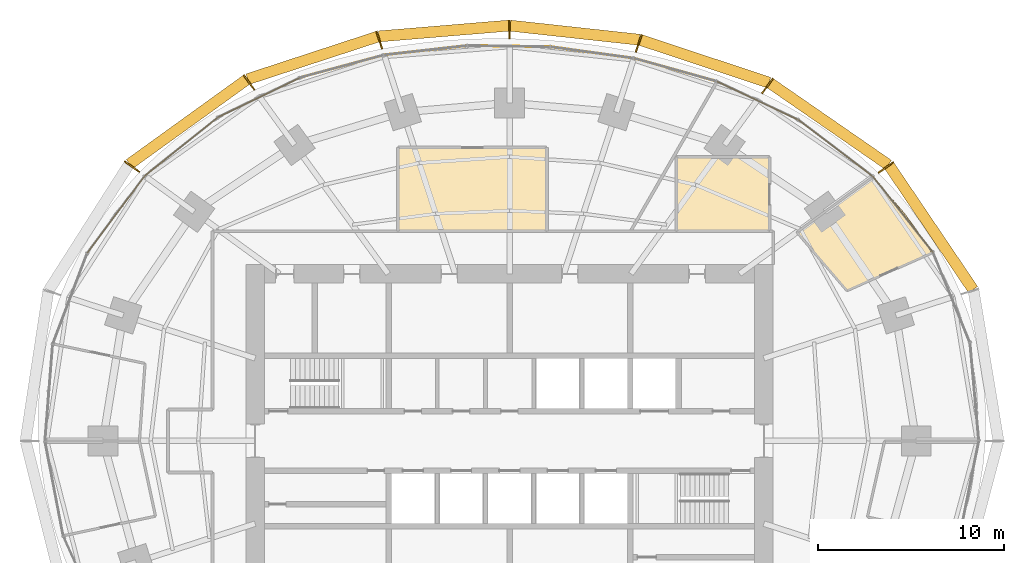
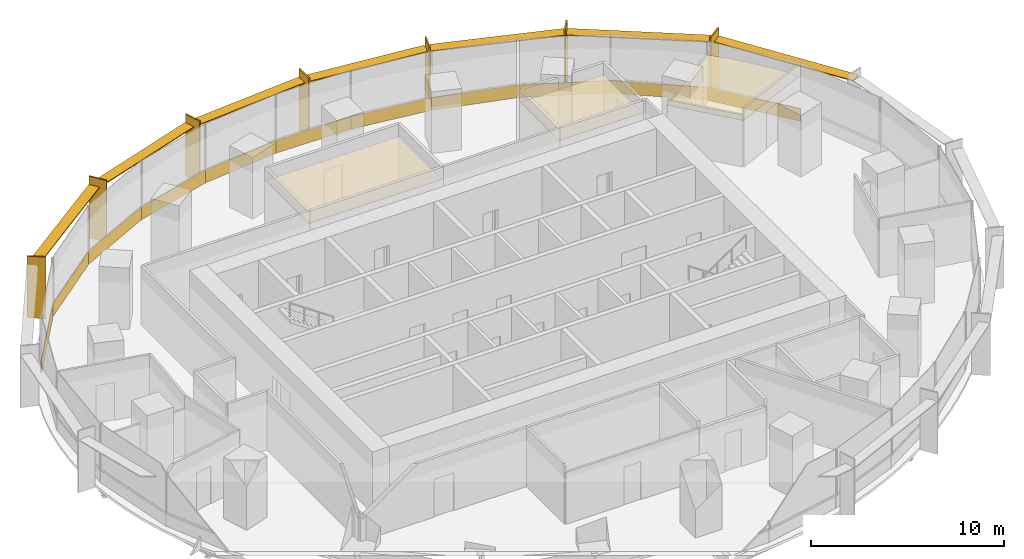
# One storey, part 14 of 14: 14 coverings, 14 shading devices.
"""IFC4 building model written with IfcOpenShell, lengths in metres."""

from ifc_helpers import new_model, si_unit, direction, frame, origin, origin_2d, place, context, subcontext, project, spatial, polyline, rectangle, outline, extrude, material, layer, layer_set, type_object, element, save


model = new_model("IFC4")

# Units and contexts
model_context = context("Model", 3, precision=1e-05, world=origin(), true_north=direction((0.0, 1.0)))
body_context = subcontext(model_context, "Body", "Model", "MODEL_VIEW")
ifc_project = project(units=[si_unit("LENGTHUNIT", "METRE"), si_unit("AREAUNIT", "SQUARE_METRE"), si_unit("VOLUMEUNIT", "CUBIC_METRE"), si_unit("PLANEANGLEUNIT", "RADIAN"), si_unit("MASSUNIT", "GRAM", prefix="KILO")], contexts=[model_context])

# Site, building, storey
site_placement = place(None, origin())
site = spatial("IfcSite", under=ifc_project, at=site_placement, CompositionType="ELEMENT")
building_placement = place(site_placement, origin())
building = spatial("IfcBuilding", under=site, at=building_placement, Name="Marramba Exchange Tower", CompositionType="ELEMENT")
storey_placement = place(building_placement, frame((0.0, 0.0, 147.0)))
storey = spatial("IfcBuildingStorey", under=building, at=storey_placement, Name="L35", CompositionType="ELEMENT", Elevation=147.0)

# Shading devices
ifc_material_1 = material(Name="Aluminium blade, timber-look bronze finish", Category="wood")
ifc_layer_1 = layer(ifc_material_1, 0.080078125)
ifc_layer_set_1 = layer_set([ifc_layer_1], Name="Floor-edge blade 1000x80")
shading_device_type_1 = type_object("IfcShadingDeviceType", Name="Floor-edge blade 1000x80", PredefinedType="USERDEFINED", material=ifc_layer_set_1)
for number, where, z_axis, x_axis, name in (
    (1, (20.27392578125, 14.72998046875, -0.159912109375), (0.0, 0.0, 1.0), (0.809016994375, 0.587785252292, 0.0), "Floor-edge blade FB1 L35 TC03"),
    (2, (13.8955078125, 19.12548828125, -0.159912109375), (0.0, 0.0, 1.0), (0.587785252292, 0.809016994375, 0.0), "Floor-edge blade FB1 L35 TC04"),
    (3, (6.958984375, 21.41748046875, -0.159912109375), (0.0, 0.0, 1.0), (0.309016994375, 0.951056516295, 0.0), "Floor-edge blade FB1 L35 TC05"),
    (4, (0.0, 22.173095703125, -0.159912109375), (0.0, 0.0, 1.0), (0.0, 1.0, 0.0), "Floor-edge blade FB1 L35 TC06"),
    (5, (-7.016845703125, 21.595703125, -0.159912109375), (0.0, 0.0, 1.0), (-0.309016994375, 0.951056516295, 0.0), "Floor-edge blade FB1 L35 TC07"),
    (6, (-14.029296875, 19.3095703125, -0.159912109375), (0.0, 0.0, 1.0), (-0.587785252292, 0.809016994375, 0.0), "Floor-edge blade FB1 L35 TC08"),
    (7, (-20.33642578125, 14.775390625, -0.159912109375), (0.0, 0.0, 1.0), (-0.809016994375, 0.587785252292, 0.0), "Floor-edge blade FB1 L35 TC09"),
):
    element("IfcShadingDevice", number, at=place(storey_placement, frame(where, z_axis=z_axis, x_axis=x_axis)), inside=storey, type_object=shading_device_type_1, Name=name, ObjectType="FIN", PredefinedType="USERDEFINED", context=body_context, shape_type="SweptSolid", body=[
        extrude(rectangle(XDim=1.0, YDim=0.080078125, at=origin_2d()), origin(), (0.0, 0.0, 1.0), 3.89990234375),
    ])
ifc_material_2 = material(Name="Aluminium sunshade, bronze anodised", Category="aluminium")
ifc_layer_2 = layer(ifc_material_2, 0.06005859375)
ifc_layer_set_2 = layer_set([ifc_layer_2], Name="SUNSHADE blade 600x60")
shading_device_type_2 = type_object("IfcShadingDeviceType", Name="SUNSHADE blade 600x60", PredefinedType="USERDEFINED", material=ifc_layer_set_2)
shading_device_1_placement = place(storey_placement, frame((22.712158203125, 11.4833984375, 3.159912109375), z_axis=(0.0, 0.0, 1.0), x_axis=(-0.560441804861, 0.828193807852, 0.0)))
element("IfcShadingDevice", 8, at=shading_device_1_placement, inside=storey, type_object=shading_device_type_2, Name="Sunshade SS1 L35 bay 02", ObjectType="SUNSHADE", PredefinedType="USERDEFINED", context=body_context, shape_type="SweptSolid", body=[
    extrude(rectangle(XDim=8.0439453125, YDim=0.60009765625, at=origin_2d()), origin(), (0.0, 0.0, 1.0), 0.06005859375),
])
shading_device_2_placement = place(storey_placement, frame((17.224365234375, 17.0673828125, 3.159912109375), z_axis=(0.0, 0.0, 1.0), x_axis=(-0.822589509071, 0.568635647464, 0.0)))
element("IfcShadingDevice", 9, at=shading_device_2_placement, inside=storey, type_object=shading_device_type_2, Name="Sunshade SS1 L35 bay 03", ObjectType="SUNSHADE", PredefinedType="USERDEFINED", context=body_context, shape_type="SweptSolid", body=[
    extrude(rectangle(XDim=7.72802734375, YDim=0.60009765625, at=origin_2d()), origin(), (0.0, 0.0, 1.0), 0.06005859375),
])
shading_device_3_placement = place(storey_placement, frame((10.516845703125, 20.447509765625, 3.159912109375), z_axis=(0.0, 0.0, 1.0), x_axis=(-0.949101076178, 0.314971660944, 0.0)))
element("IfcShadingDevice", 10, at=shading_device_3_placement, inside=storey, type_object=shading_device_type_2, Name="Sunshade SS1 L35 bay 04", ObjectType="SUNSHADE", PredefinedType="USERDEFINED", context=body_context, shape_type="SweptSolid", body=[
    extrude(rectangle(XDim=7.287353515625, YDim=0.60009765625, at=origin_2d()), origin(), (0.0, 0.0, 1.0), 0.06005859375),
])
shading_device_4_placement = place(storey_placement, frame((3.510498046875, 21.990478515625, 3.159912109375), z_axis=(0.0, 0.0, 1.0), x_axis=(-0.994111392801, 0.108362995081, 0.0)))
element("IfcShadingDevice", 11, at=shading_device_4_placement, inside=storey, type_object=shading_device_type_2, Name="Sunshade SS1 L35 bay 05", ObjectType="SUNSHADE", PredefinedType="USERDEFINED", context=body_context, shape_type="SweptSolid", body=[
    extrude(rectangle(XDim=6.982421875, YDim=0.60009765625, at=origin_2d()), origin(), (0.0, 0.0, 1.0), 0.06005859375),
])
shading_device_5_placement = place(storey_placement, frame((-3.539306640625, 22.07958984375, 3.159912109375), z_axis=(0.0, 0.0, 1.0), x_axis=(-0.996577838412, -0.08265961521, 0.0)))
element("IfcShadingDevice", 12, at=shading_device_5_placement, inside=storey, type_object=shading_device_type_2, Name="Sunshade SS1 L35 bay 06", ObjectType="SUNSHADE", PredefinedType="USERDEFINED", context=body_context, shape_type="SweptSolid", body=[
    extrude(rectangle(XDim=7.02294921875, YDim=0.60009765625, at=origin_2d()), origin(), (0.0, 0.0, 1.0), 0.06005859375),
])
shading_device_6_placement = place(storey_placement, frame((-10.61279296875, 20.628662109375, 3.159912109375), z_axis=(0.0, 0.0, 1.0), x_axis=(-0.950345637432, -0.311196351865, 0.0)))
element("IfcShadingDevice", 13, at=shading_device_6_placement, inside=storey, type_object=shading_device_type_2, Name="Sunshade SS1 L35 bay 07", ObjectType="SUNSHADE", PredefinedType="USERDEFINED", context=body_context, shape_type="SweptSolid", body=[
    extrude(rectangle(XDim=7.357421875, YDim=0.60009765625, at=origin_2d()), origin(), (0.0, 0.0, 1.0), 0.06005859375),
])
shading_device_7_placement = place(storey_placement, frame((-17.322509765625, 17.18212890625, 3.159912109375), z_axis=(0.0, 0.0, 1.0), x_axis=(-0.811199164202, -0.584769968448, 0.0)))
element("IfcShadingDevice", 14, at=shading_device_7_placement, inside=storey, type_object=shading_device_type_2, Name="Sunshade SS1 L35 bay 08", ObjectType="SUNSHADE", PredefinedType="USERDEFINED", context=body_context, shape_type="SweptSolid", body=[
    extrude(rectangle(XDim=7.749755859375, YDim=0.60009765625, at=origin_2d()), origin(), (0.0, 0.0, 1.0), 0.06005859375),
])

# Coverings
ifc_material_3 = material(Name="Aluminium spandrel panel, bronze anodised, insulated", Category="aluminium")
ifc_layer_3 = layer(ifc_material_3, 0.050048828125)
ifc_layer_set_3 = layer_set([ifc_layer_3], Name="Spandrel panel 800")
covering_type_1 = type_object("IfcCoveringType", Name="Spandrel panel 800", PredefinedType="CLADDING", material=ifc_layer_set_3)
covering_1_placement = place(storey_placement, frame((21.20068359375, 12.194091796875, 0.0), z_axis=(0.0, 0.0, 1.0), x_axis=(-0.621311998758, 0.783563271344, 0.0)))
element("IfcCovering", 15, at=covering_1_placement, inside=storey, type_object=covering_type_1, Name="Spandrel panel SP1 L35 F03", PredefinedType="CLADDING", context=body_context, shape_type="SweptSolid", body=[
    extrude(rectangle(XDim=5.197021484375, YDim=0.050048828125, at=origin_2d()), origin(), (0.0, 0.0, 1.0), 0.800048828125),
])
covering_2_placement = place(storey_placement, frame((17.576171875, 15.759033203125, 0.0), z_axis=(0.0, 0.0, 1.0), x_axis=(-0.795971745176, 0.605333776426, 0.0)))
element("IfcCovering", 16, at=covering_2_placement, inside=storey, type_object=covering_type_1, Name="Spandrel panel SP1 L35 F04", PredefinedType="CLADDING", context=body_context, shape_type="SweptSolid", body=[
    extrude(rectangle(XDim=5.05078125, YDim=0.050048828125, at=origin_2d()), origin(), (0.0, 0.0, 1.0), 0.800048828125),
])
covering_3_placement = place(storey_placement, frame((13.371337890625, 18.322998046875, 0.0), z_axis=(0.0, 0.0, 1.0), x_axis=(-0.904403135206, 0.426678999987, 0.0)))
element("IfcCovering", 17, at=covering_3_placement, inside=storey, type_object=covering_type_1, Name="Spandrel panel SP1 L35 F05", PredefinedType="CLADDING", context=body_context, shape_type="SweptSolid", body=[
    extrude(rectangle(XDim=4.853271484375, YDim=0.050048828125, at=origin_2d()), origin(), (0.0, 0.0, 1.0), 0.800048828125),
])
covering_4_placement = place(storey_placement, frame((8.9365234375, 19.98388671875, 0.0), z_axis=(0.0, 0.0, 1.0), x_axis=(-0.963177847397, 0.268865085655, 0.0)))
element("IfcCovering", 18, at=covering_4_placement, inside=storey, type_object=covering_type_1, Name="Spandrel panel SP1 L35 F06", PredefinedType="CLADDING", context=body_context, shape_type="SweptSolid", body=[
    extrude(rectangle(XDim=4.651611328125, YDim=0.050048828125, at=origin_2d()), origin(), (0.0, 0.0, 1.0), 0.800048828125),
])
covering_5_placement = place(storey_placement, frame((4.46337890625, 20.915283203125, 0.0), z_axis=(0.0, 0.0, 1.0), x_axis=(-0.990738214019, 0.135785828725, 0.0)))
element("IfcCovering", 19, at=covering_5_placement, inside=storey, type_object=covering_type_1, Name="Spandrel panel SP1 L35 F07", PredefinedType="CLADDING", context=body_context, shape_type="SweptSolid", body=[
    extrude(rectangle(XDim=4.507568359375, YDim=0.050048828125, at=origin_2d()), origin(), (0.0, 0.0, 1.0), 0.800048828125),
])
covering_6_placement = place(storey_placement, frame((-0.003662109375, 21.25634765625, 0.0), z_axis=(0.0, 0.0, 1.0), x_axis=(-0.999875870008, 0.015755779107, 0.0)))
element("IfcCovering", 20, at=covering_6_placement, inside=storey, type_object=covering_type_1, Name="Spandrel panel SP1 L35 F08", PredefinedType="CLADDING", context=body_context, shape_type="SweptSolid", body=[
    extrude(rectangle(XDim=4.46875, YDim=0.050048828125, at=origin_2d()), origin(), (0.0, 0.0, 1.0), 0.800048828125),
])
covering_7_placement = place(storey_placement, frame((-4.49609375, 21.03955078125, 0.0), z_axis=(0.0, 0.0, 1.0), x_axis=(-0.993823395975, -0.110973229261, 0.0)))
element("IfcCovering", 21, at=covering_7_placement, inside=storey, type_object=covering_type_1, Name="Spandrel panel SP1 L35 F09", PredefinedType="CLADDING", context=body_context, shape_type="SweptSolid", body=[
    extrude(rectangle(XDim=4.54443359375, YDim=0.050048828125, at=origin_2d()), origin(), (0.0, 0.0, 1.0), 0.800048828125),
])
covering_8_placement = place(storey_placement, frame((-9.0244140625, 20.17529296875, 0.0), z_axis=(0.0, 0.0, 1.0), x_axis=(-0.965522049344, -0.26032128655, 0.0)))
element("IfcCovering", 22, at=covering_8_placement, inside=storey, type_object=covering_type_1, Name="Spandrel panel SP1 L35 F10", PredefinedType="CLADDING", context=body_context, shape_type="SweptSolid", body=[
    extrude(rectangle(XDim=4.70263671875, YDim=0.050048828125, at=origin_2d()), origin(), (0.0, 0.0, 1.0), 0.800048828125),
])
covering_9_placement = place(storey_placement, frame((-13.49609375, 18.498291015625, 0.0), z_axis=(0.0, 0.0, 1.0), x_axis=(-0.900223736484, -0.435427633794, 0.0)))
element("IfcCovering", 23, at=covering_9_placement, inside=storey, type_object=covering_type_1, Name="Spandrel panel SP1 L35 F11", PredefinedType="CLADDING", context=body_context, shape_type="SweptSolid", body=[
    extrude(rectangle(XDim=4.890625, YDim=0.050048828125, at=origin_2d()), origin(), (0.0, 0.0, 1.0), 0.800048828125),
])
covering_10_placement = place(storey_placement, frame((-17.673095703125, 15.854736328125, 0.0), z_axis=(0.0, 0.0, 1.0), x_axis=(-0.781178328369, -0.624307952285, 0.0)))
element("IfcCovering", 24, at=covering_10_placement, inside=storey, type_object=covering_type_1, Name="Spandrel panel SP1 L35 F12", PredefinedType="CLADDING", context=body_context, shape_type="SweptSolid", body=[
    extrude(rectangle(XDim=5.058349609375, YDim=0.050048828125, at=origin_2d()), origin(), (0.0, 0.0, 1.0), 0.800048828125),
])
covering_11_placement = place(storey_placement, frame((-21.19580078125, 12.20068359375, 0.0), z_axis=(0.0, 0.0, 1.0), x_axis=(-0.597703998161, -0.801716864349, 0.0)))
element("IfcCovering", 25, at=covering_11_placement, inside=storey, type_object=covering_type_1, Name="Spandrel panel SP1 L35 F13", PredefinedType="CLADDING", context=body_context, shape_type="SweptSolid", body=[
    extrude(rectangle(XDim=5.17626953125, YDim=0.050048828125, at=origin_2d()), origin(), (0.0, 0.0, 1.0), 0.800048828125),
])
ifc_material_4 = material(Name="Mineral fibre ceiling tiles", Category="gypsum")
ifc_layer_4 = layer(ifc_material_4, 0.02001953125)
ifc_layer_set_4 = layer_set([ifc_layer_4], Name="Suspended ceiling 20")
covering_type_2 = type_object("IfcCoveringType", Name="Suspended ceiling 20", PredefinedType="CEILING", material=ifc_layer_set_4)
covering_12_placement = place(storey_placement, frame((0.0, 0.0, 2.89990234375)))
element("IfcCovering", 26, at=covering_12_placement, inside=storey, type_object=covering_type_2, Name="Ceiling CL1 L35 Office 1", PredefinedType="CEILING", context=body_context, shape_type="SweptSolid", body=[
    extrude(outline(polyline([(19.950927734375, 13.74169921875), (20.4189453125, 13.26025390625), (21.089599609375, 12.4736328125), (21.259765625, 12.2744140625), (22.03662109375, 11.228271484375), (22.7421875, 10.12548828125), (18.174560546875, 8.091796875), (15.4765625, 11.244384765625), (19.521484375, 14.18310546875), (19.950927734375, 13.74169921875)])), origin(), (0.0, 0.0, 1.0), 0.02001953125),
])
covering_13_placement = place(storey_placement, frame((0.0, 0.0, 2.89990234375)))
element("IfcCovering", 27, at=covering_13_placement, inside=storey, type_object=covering_type_2, Name="Ceiling CL1 L35 Meeting Room 1", PredefinedType="CEILING", context=body_context, shape_type="SweptSolid", body=[
    extrude(outline(polyline([(14.0, 11.300048828125), (9.0, 11.300048828125), (9.0, 15.300048828125), (14.0, 15.300048828125), (14.0, 11.300048828125)])), origin(), (0.0, 0.0, 1.0), 0.02001953125),
])
covering_14_placement = place(storey_placement, frame((0.0, 0.0, 2.89990234375)))
element("IfcCovering", 28, at=covering_14_placement, inside=storey, type_object=covering_type_2, Name="Ceiling CL1 L35 Meeting Room 3", PredefinedType="CEILING", context=body_context, shape_type="SweptSolid", body=[
    extrude(outline(polyline([(2.0, 11.300048828125), (-6.0, 11.300048828125), (-6.0, 15.800048828125), (2.0, 15.800048828125), (2.0, 11.300048828125)])), origin(), (0.0, 0.0, 1.0), 0.02001953125),
])

save(model, "model.ifc")
